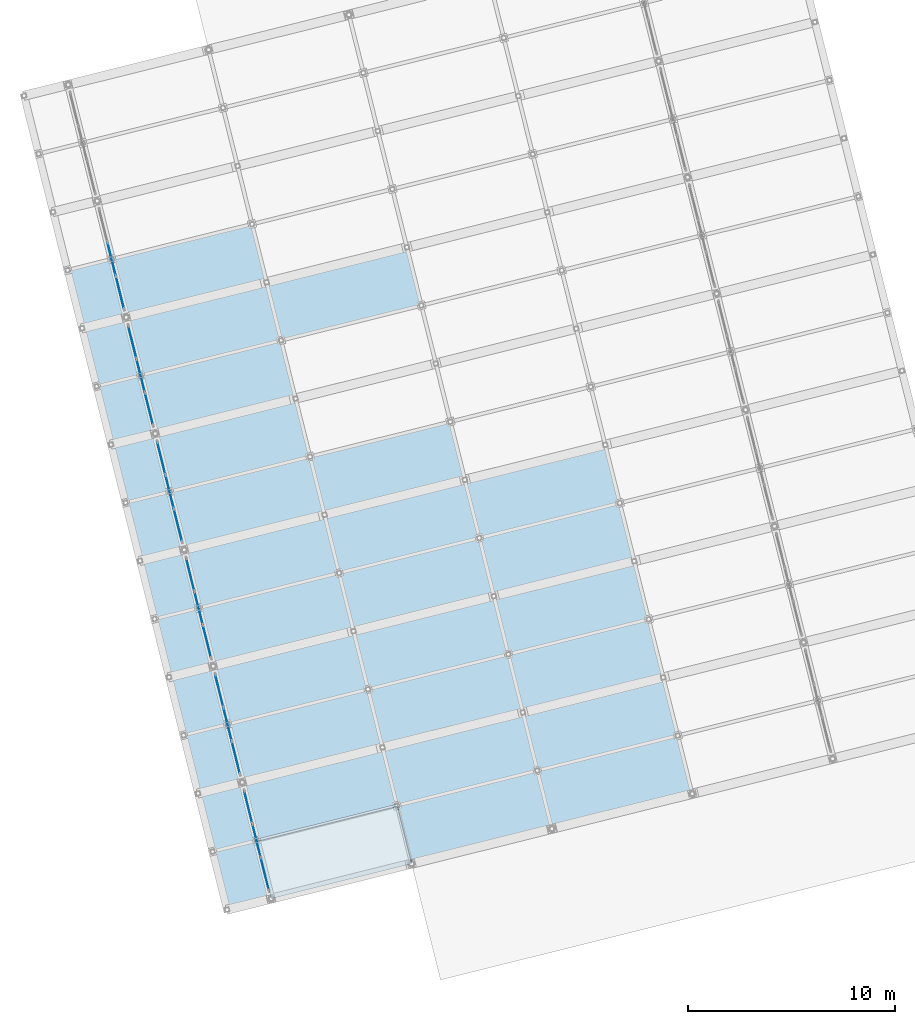
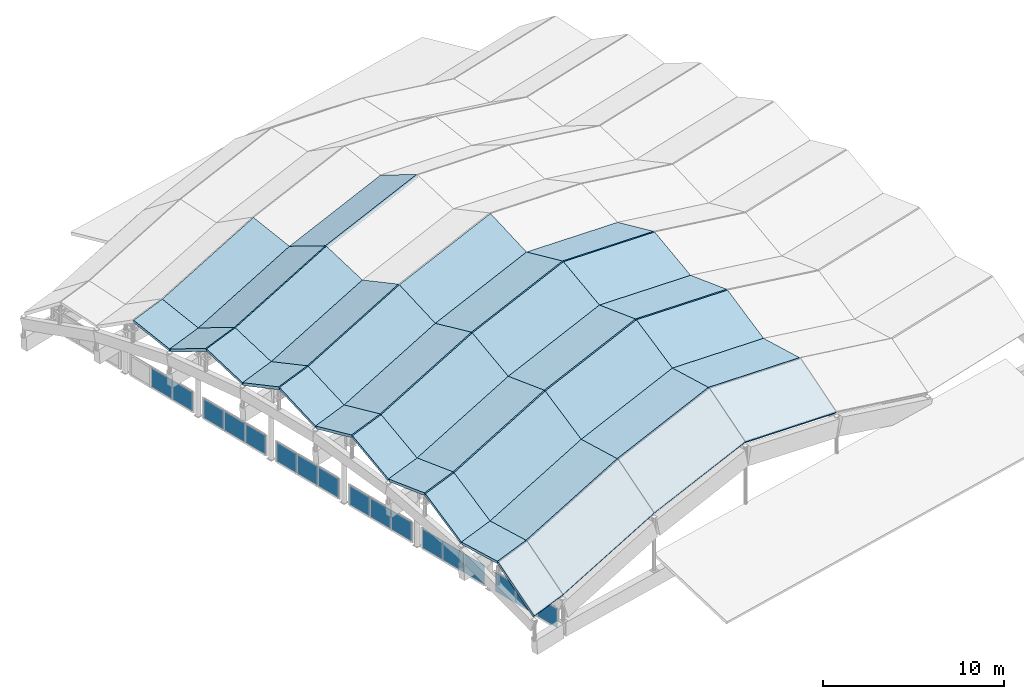
# One storey, part 53 of 65: 36 slabs, 17 plates, 6 elements without a shape of their own.
"""IFC4 building model written with IfcOpenShell, lengths in metres."""

import ifcopenshell
import ifcopenshell.guid

model = None  # the IFC model being written
_history = None  # IfcOwnerHistory: only IFC2X3 demands one
_inside = {}  # id of a spatial element -> (the spatial element, [elements in it])
_under = {}  # id of a project, library or spatial element -> (it, [spatial elements below it])
_declared = {}  # id of a project -> (the project, [libraries it declares])
_typed = {}  # id of a type object -> (the type object, [elements of that type])
_made_of = {}  # id of a material, layer set ... -> (it, [elements and type objects made of it])


def new_model(schema):
    """Start an empty IFC model of exactly this schema.

    Asked for "IFC4X3", IfcOpenShell would pick the latest addendum, in which some entities
    have other attributes; the version numbers below select the first issue.
    IFC2X3 requires an IfcOwnerHistory on every rooted entity: one is made here for all.
    """
    global model, _history
    if schema == "IFC4X3":
        model = ifcopenshell.file(schema_version=(4, 3, 0, 0))
    else:
        model = ifcopenshell.file(schema=schema)
    _inside.clear()
    _under.clear()
    _declared.clear()
    _typed.clear()
    _made_of.clear()
    _history = None
    if model.schema == "IFC2X3":
        org = make("IfcOrganization", Name="unknown")
        user = make(
            "IfcPersonAndOrganization",
            ThePerson=make("IfcPerson", FamilyName="unknown"),
            TheOrganization=org,
        )
        app = make(
            "IfcApplication",
            ApplicationDeveloper=org,
            Version="unknown",
            ApplicationFullName="unknown",
            ApplicationIdentifier="unknown",
        )
        _history = make(
            "IfcOwnerHistory",
            OwningUser=user,
            OwningApplication=app,
            ChangeAction="ADDED",
            CreationDate=0,
        )
    return model


def make(cls, **values):
    """One entity of the class cls with the attributes given. An attribute that is None is left unset."""
    return model.create_entity(
        cls, **{name: value for name, value in values.items() if value is not None}
    )


def rooted(cls, **values):
    """An entity with a GlobalId (a new one), such as an element, a storey or a relation."""
    return make(cls, GlobalId=ifcopenshell.guid.new(), OwnerHistory=_history, **values)


def si_unit(unit_type, name, prefix=None):
    """IfcSIUnit, for example si_unit("LENGTHUNIT", "METRE", prefix="MILLI")."""
    return make("IfcSIUnit", UnitType=unit_type, Prefix=prefix, Name=name)


def assignment(units):
    """IfcUnitAssignment: the units of a project."""
    return None if units is None else make("IfcUnitAssignment", Units=units)


def point(xyz):
    """IfcCartesianPoint."""
    return None if xyz is None else make("IfcCartesianPoint", Coordinates=xyz)


def direction(xyz):
    """IfcDirection."""
    return None if xyz is None else make("IfcDirection", DirectionRatios=xyz)


def frame(location, z_axis=None, x_axis=None):
    """IfcAxis2Placement3D, a coordinate frame: its origin and axes. An axis left out is left unset."""
    return make(
        "IfcAxis2Placement3D",
        Location=point(location),
        Axis=direction(z_axis),
        RefDirection=direction(x_axis),
    )


def frame_2d(location, x_axis=None):
    """IfcAxis2Placement2D, a coordinate frame in the plane: its origin and x axis."""
    return make(
        "IfcAxis2Placement2D", Location=point(location), RefDirection=direction(x_axis)
    )


def origin():
    """The frame at (0, 0, 0) with its axes left unset."""
    return frame((0.0, 0.0, 0.0))


def origin_2d():
    """The frame at (0, 0) in the plane with its x axis left unset."""
    return frame_2d((0.0, 0.0))


def place(relative_to, where):
    """IfcLocalPlacement: puts the frame where relative to a parent placement (None: the world)."""
    return make(
        "IfcLocalPlacement", PlacementRelTo=relative_to, RelativePlacement=where
    )


def context(
    kind, dimensions, precision=None, world=None, true_north=None, identifier=None
):
    """IfcGeometricRepresentationContext, for example the 3D "Model" context."""
    return make(
        "IfcGeometricRepresentationContext",
        ContextIdentifier=identifier,
        ContextType=kind,
        CoordinateSpaceDimension=dimensions,
        Precision=precision,
        WorldCoordinateSystem=world,
        TrueNorth=true_north,
    )


def subcontext(parent, identifier, kind, view, scale=None):
    """IfcGeometricRepresentationSubContext, for example "Body" below "Model"."""
    return make(
        "IfcGeometricRepresentationSubContext",
        ContextIdentifier=identifier,
        ContextType=kind,
        ParentContext=parent,
        TargetScale=scale,
        TargetView=view,
    )


def project(units=None, contexts=None):
    """IfcProject with its units and contexts."""
    return rooted(
        "IfcProject",
        Name="project",
        RepresentationContexts=contexts,
        UnitsInContext=assignment(units),
    )


def spatial(cls, under=None, at=None, **own):
    """A site, building, storey or space (cls), placed at a placement, below another one or the project."""
    s = rooted(cls, ObjectPlacement=at, **own)
    if under is not None:
        _under.setdefault(under.id(), (under, []))[1].append(s)
    return s


def polyline(points):
    """IfcPolyline through the points."""
    return make("IfcPolyline", Points=[point(p) for p in points])


def profile(cls, at=None, kind="AREA", **sizes):
    """A parametric profile (cls). Its sizes go by their IFC names, for example OverallWidth=200.0."""
    return make(cls, ProfileType=kind, Position=at, **sizes)


def rectangle(**sizes):
    """IfcRectangleProfileDef."""
    return profile("IfcRectangleProfileDef", **sizes)


def outline(outer, holes=None, kind="AREA"):
    """IfcArbitraryClosedProfileDef: a profile drawn as a closed curve; with holes, ...WithVoids."""
    if holes is None:
        return make("IfcArbitraryClosedProfileDef", ProfileType=kind, OuterCurve=outer)
    return make(
        "IfcArbitraryProfileDefWithVoids",
        ProfileType=kind,
        OuterCurve=outer,
        InnerCurves=holes,
    )


def extrude(swept, where, along, depth):
    """IfcExtrudedAreaSolid: the profile swept, set in the frame where, extruded along a direction by depth."""
    return make(
        "IfcExtrudedAreaSolid",
        SweptArea=swept,
        Position=where,
        ExtrudedDirection=direction(along),
        Depth=depth,
    )


def shape(context_of_items, identifier, shape_type, items):
    """IfcShapeRepresentation: the items that make up one representation, for example the "Body"."""
    return make(
        "IfcShapeRepresentation",
        ContextOfItems=context_of_items,
        RepresentationIdentifier=identifier,
        RepresentationType=shape_type,
        Items=items,
    )


def material(Name=None, Category=None):
    """IfcMaterial."""
    return make("IfcMaterial", Name=Name, Category=Category)


def layer(
    of_material, thickness, ventilated=None, Name=None, Category=None, Priority=None
):
    """IfcMaterialLayer: one layer of a wall or slab, of a material (None: an air gap)."""
    return make(
        "IfcMaterialLayer",
        Material=of_material,
        LayerThickness=thickness,
        IsVentilated=ventilated,
        Name=Name,
        Category=Category,
        Priority=Priority,
    )


def layer_set(layers, Name=None):
    """IfcMaterialLayerSet."""
    return make("IfcMaterialLayerSet", MaterialLayers=layers, LayerSetName=Name)


def made_of(thing, what):
    """Note that an element or type object is made of a material, layer set ...; save() writes the relation."""
    if what is not None:
        _made_of.setdefault(what.id(), (what, []))[1].append(thing)
    return thing


def type_object(cls, material=None, **own):
    """A type object (cls), such as IfcWallType, which elements share."""
    return made_of(rooted(cls, **own), material)


def element(
    cls,
    number,
    at=None,
    inside=None,
    cuts=None,
    type_object=None,
    material=None,
    context=None,
    identifier="Body",
    shape_type=None,
    held_by="IfcProductDefinitionShape",
    body=None,
    shapes=None,
    **own,
):
    """One element of the class cls, such as IfcWall. Its Tag is "e" and its number.

    at: its placement. inside: the storey or other place that contains it. cuts: it is an
    opening in that element (IfcRelVoidsElement). A single representation is given by context,
    identifier, shape_type and body (its items); several are given by shapes. held_by: the class
    of the entity that holds the representations. save() writes the other relations.
    """
    e = rooted(cls, Tag="e%d" % number, ObjectPlacement=at, **own)
    if body is not None:
        shapes = [shape(context, identifier, shape_type, body)]
    if shapes is not None:
        e.Representation = make(held_by, Representations=shapes)
    if inside is not None:
        _inside.setdefault(inside.id(), (inside, []))[1].append(e)
    if cuts is not None:
        rooted(
            "IfcRelVoidsElement", RelatingBuildingElement=cuts, RelatedOpeningElement=e
        )
    if type_object is not None:
        _typed.setdefault(type_object.id(), (type_object, []))[1].append(e)
    return made_of(e, material)


def aggregate(whole, parts):
    """IfcRelAggregates: a whole, such as a stair, and the parts it consists of."""
    return rooted("IfcRelAggregates", RelatingObject=whole, RelatedObjects=parts)


def save(model, path):
    """Write the relations noted so far, then the file.

    IfcRelAggregates (storeys below a building ...), IfcRelContainedInSpatialStructure (elements
    in a storey), IfcRelDefinesByType, IfcRelAssociatesMaterial and IfcRelDeclares: one each for
    every whole, place, type object, material and project.
    """
    for whole, parts in _under.values():
        aggregate(whole, parts)
    for where, things in _inside.values():
        rooted(
            "IfcRelContainedInSpatialStructure",
            RelatedElements=things,
            RelatingStructure=where,
        )
    for kind, things in _typed.values():
        rooted("IfcRelDefinesByType", RelatedObjects=things, RelatingType=kind)
    for what, things in _made_of.values():
        rooted("IfcRelAssociatesMaterial", RelatedObjects=things, RelatingMaterial=what)
    for by, libraries in _declared.values():
        rooted("IfcRelDeclares", RelatingContext=by, RelatedDefinitions=libraries)
    model.write(path)


model = new_model("IFC4")

# Units and contexts
model_context = context("Model", 3, precision=1e-05, world=origin(), true_north=direction((0.0, 1.0)))
body_context = subcontext(model_context, "Body", "Model", "MODEL_VIEW")
ifc_project = project(units=[si_unit("LENGTHUNIT", "METRE"), si_unit("AREAUNIT", "SQUARE_METRE"), si_unit("VOLUMEUNIT", "CUBIC_METRE"), si_unit("PLANEANGLEUNIT", "RADIAN"), si_unit("MASSUNIT", "GRAM", prefix="KILO")], contexts=[model_context])

# Site, building, storey
site_placement = place(None, origin())
site = spatial("IfcSite", under=ifc_project, at=site_placement, CompositionType="ELEMENT")
building_placement = place(site_placement, origin())
building = spatial("IfcBuilding", under=site, at=building_placement, Name="Cinderway Yard Community Centre", CompositionType="ELEMENT")
storey_placement = place(building_placement, frame((0.0, 0.0, 24.300048828125)))
storey = spatial("IfcBuildingStorey", under=building, at=storey_placement, Name="RF", CompositionType="ELEMENT", Elevation=24.300048828125)

# Curtain wall, plates
ifc_material_1 = material(Name="Aluminium 6063-T6", Category="aluminium")
curtain_wall_type = type_object("IfcCurtainWallType", Name="ENV-CW-TYPE-11", PredefinedType="USERDEFINED", material=ifc_material_1)
curtain_wall_1_placement = place(storey_placement, origin())
curtain_wall_1 = element("IfcCurtainWall", 1, at=curtain_wall_1_placement, inside=storey, type_object=curtain_wall_type, Name="Main Hall West Clerestory Curtain Wall ENV-CW-RF-HS-0037", ObjectType="GLAZED CURTAIN WALL", PredefinedType="USERDEFINED")
ifc_material_2 = material(Name="Laminated Low-E Glass", Category="glass")
ifc_layer_1 = layer(ifc_material_2, 0.031982421875, Name="Laminated Low-E Glass")
ifc_layer_set_1 = layer_set([ifc_layer_1], Name="Laminated Low-E Glass")
plate_type = type_object("IfcPlateType", Name="ENV-CW-PAN-IGU32", PredefinedType="CURTAIN_PANEL", material=ifc_layer_set_1)
plate_1_placement = place(storey_placement, frame((19.51025390625, 26.315673828125, -11.33984375), z_axis=(0.0, 0.0, 1.0), x_axis=(-0.241881929678, 0.970305690025, 0.0)))
plate_1 = element("IfcPlate", 2, at=plate_1_placement, type_object=plate_type, Name="CW-11 panel 1.1", PredefinedType="CURTAIN_PANEL", context=body_context, shape_type="SweptSolid", body=[
    extrude(rectangle(XDim=1.58984375, YDim=0.028076171875, at=origin_2d()), origin(), (0.0, 0.0, 1.0), 1.280029296875),
])
plate_2_placement = place(storey_placement, frame((19.107421875, 27.930908203125, -11.33984375), z_axis=(0.0, 0.0, 1.0), x_axis=(-0.241881929678, 0.970305690025, 0.0)))
plate_2 = element("IfcPlate", 3, at=plate_2_placement, type_object=plate_type, Name="CW-11 panel 2.1", PredefinedType="CURTAIN_PANEL", context=body_context, shape_type="SweptSolid", body=[
    extrude(rectangle(XDim=1.619873046875, YDim=0.028076171875, at=origin_2d()), origin(), (0.0, 0.0, 1.0), 1.280029296875),
])
plate_3_placement = place(storey_placement, frame((18.704833984375, 29.54638671875, -11.33984375), z_axis=(0.0, 0.0, 1.0), x_axis=(-0.241881929678, 0.970305690025, 0.0)))
plate_3 = element("IfcPlate", 4, at=plate_3_placement, type_object=plate_type, Name="CW-11 panel 3.1", PredefinedType="CURTAIN_PANEL", context=body_context, shape_type="SweptSolid", body=[
    extrude(rectangle(XDim=1.58984375, YDim=0.028076171875, at=origin_2d()), origin(), (0.0, 0.0, 1.0), 1.280029296875),
])
aggregate(curtain_wall_1, [plate_1, plate_2, plate_3])

curtain_wall_2_placement = place(storey_placement, origin())
curtain_wall_2 = element("IfcCurtainWall", 5, at=curtain_wall_2_placement, inside=storey, type_object=curtain_wall_type, Name="Main Hall West Clerestory Curtain Wall ENV-CW-RF-HS-0038", ObjectType="GLAZED CURTAIN WALL", PredefinedType="USERDEFINED")
plate_4_placement = place(storey_placement, frame((18.107177734375, 31.943359375, -11.33984375), z_axis=(0.0, 0.0, 1.0), x_axis=(-0.24192850896, 0.970294077356, 0.0)))
plate_4 = element("IfcPlate", 6, at=plate_4_placement, type_object=plate_type, Name="CW-11 panel 1.1", PredefinedType="CURTAIN_PANEL", context=body_context, shape_type="SweptSolid", body=[
    extrude(rectangle(XDim=1.589599609375, YDim=0.028076171875, at=origin_2d()), origin(), (0.0, 0.0, 1.0), 1.280029296875),
])
plate_5_placement = place(storey_placement, frame((17.70458984375, 33.55859375, -11.33984375), z_axis=(0.0, 0.0, 1.0), x_axis=(-0.24192850896, 0.970294077356, 0.0)))
plate_5 = element("IfcPlate", 7, at=plate_5_placement, type_object=plate_type, Name="CW-11 panel 2.1", PredefinedType="CURTAIN_PANEL", context=body_context, shape_type="SweptSolid", body=[
    extrude(rectangle(XDim=1.61962890625, YDim=0.028076171875, at=origin_2d()), origin(), (0.0, 0.0, 1.0), 1.280029296875),
])
plate_6_placement = place(storey_placement, frame((17.3017578125, 35.173583984375, -11.33984375), z_axis=(0.0, 0.0, 1.0), x_axis=(-0.24192850896, 0.970294077356, 0.0)))
plate_6 = element("IfcPlate", 8, at=plate_6_placement, type_object=plate_type, Name="CW-11 panel 3.1", PredefinedType="CURTAIN_PANEL", context=body_context, shape_type="SweptSolid", body=[
    extrude(rectangle(XDim=1.589599609375, YDim=0.028076171875, at=origin_2d()), origin(), (0.0, 0.0, 1.0), 1.280029296875),
])
aggregate(curtain_wall_2, [plate_4, plate_5, plate_6])

curtain_wall_3_placement = place(storey_placement, origin())
curtain_wall_3 = element("IfcCurtainWall", 9, at=curtain_wall_3_placement, inside=storey, type_object=curtain_wall_type, Name="Main Hall West Clerestory Curtain Wall ENV-CW-RF-HS-0039", ObjectType="GLAZED CURTAIN WALL", PredefinedType="USERDEFINED")
plate_7_placement = place(storey_placement, frame((16.7041015625, 37.570556640625, -11.33984375), z_axis=(0.0, 0.0, 1.0), x_axis=(-0.241881929678, 0.970305690025, 0.0)))
plate_7 = element("IfcPlate", 10, at=plate_7_placement, type_object=plate_type, Name="CW-11 panel 1.1", PredefinedType="CURTAIN_PANEL", context=body_context, shape_type="SweptSolid", body=[
    extrude(rectangle(XDim=1.58984375, YDim=0.028076171875, at=origin_2d()), origin(), (0.0, 0.0, 1.0), 1.280029296875),
])
plate_8_placement = place(storey_placement, frame((16.301513671875, 39.18603515625, -11.33984375), z_axis=(0.0, 0.0, 1.0), x_axis=(-0.241881929678, 0.970305690025, 0.0)))
plate_8 = element("IfcPlate", 11, at=plate_8_placement, type_object=plate_type, Name="CW-11 panel 2.1", PredefinedType="CURTAIN_PANEL", context=body_context, shape_type="SweptSolid", body=[
    extrude(rectangle(XDim=1.619873046875, YDim=0.028076171875, at=origin_2d()), origin(), (0.0, 0.0, 1.0), 1.280029296875),
])
plate_9_placement = place(storey_placement, frame((15.898681640625, 40.801513671875, -11.33984375), z_axis=(0.0, 0.0, 1.0), x_axis=(-0.241881929678, 0.970305690025, 0.0)))
plate_9 = element("IfcPlate", 12, at=plate_9_placement, type_object=plate_type, Name="CW-11 panel 3.1", PredefinedType="CURTAIN_PANEL", context=body_context, shape_type="SweptSolid", body=[
    extrude(rectangle(XDim=1.58984375, YDim=0.028076171875, at=origin_2d()), origin(), (0.0, 0.0, 1.0), 1.280029296875),
])
aggregate(curtain_wall_3, [plate_7, plate_8, plate_9])

curtain_wall_4_placement = place(storey_placement, origin())
curtain_wall_4 = element("IfcCurtainWall", 13, at=curtain_wall_4_placement, inside=storey, type_object=curtain_wall_type, Name="Main Hall West Clerestory Curtain Wall ENV-CW-RF-HS-0040", ObjectType="GLAZED CURTAIN WALL", PredefinedType="USERDEFINED")
plate_10_placement = place(storey_placement, frame((15.30126953125, 43.198486328125, -11.33984375), z_axis=(0.0, 0.0, 1.0), x_axis=(-0.241881929678, 0.970305690025, 0.0)))
plate_10 = element("IfcPlate", 14, at=plate_10_placement, type_object=plate_type, Name="CW-11 panel 1.1", PredefinedType="CURTAIN_PANEL", context=body_context, shape_type="SweptSolid", body=[
    extrude(rectangle(XDim=1.58984375, YDim=0.028076171875, at=origin_2d()), origin(), (0.0, 0.0, 1.0), 1.280029296875),
])
plate_11_placement = place(storey_placement, frame((14.8984375, 44.81396484375, -11.33984375), z_axis=(0.0, 0.0, 1.0), x_axis=(-0.241881929678, 0.970305690025, 0.0)))
plate_11 = element("IfcPlate", 15, at=plate_11_placement, type_object=plate_type, Name="CW-11 panel 2.1", PredefinedType="CURTAIN_PANEL", context=body_context, shape_type="SweptSolid", body=[
    extrude(rectangle(XDim=1.619873046875, YDim=0.028076171875, at=origin_2d()), origin(), (0.0, 0.0, 1.0), 1.280029296875),
])
plate_12_placement = place(storey_placement, frame((14.495849609375, 46.429443359375, -11.33984375), z_axis=(0.0, 0.0, 1.0), x_axis=(-0.241881929678, 0.970305690025, 0.0)))
plate_12 = element("IfcPlate", 16, at=plate_12_placement, type_object=plate_type, Name="CW-11 panel 3.1", PredefinedType="CURTAIN_PANEL", context=body_context, shape_type="SweptSolid", body=[
    extrude(rectangle(XDim=1.58984375, YDim=0.028076171875, at=origin_2d()), origin(), (0.0, 0.0, 1.0), 1.280029296875),
])
aggregate(curtain_wall_4, [plate_10, plate_11, plate_12])

curtain_wall_5_placement = place(storey_placement, origin())
curtain_wall_5 = element("IfcCurtainWall", 17, at=curtain_wall_5_placement, inside=storey, type_object=curtain_wall_type, Name="Main Hall West Clerestory Curtain Wall ENV-CW-RF-HS-0041", ObjectType="GLAZED CURTAIN WALL", PredefinedType="USERDEFINED")
plate_13_placement = place(storey_placement, frame((13.898193359375, 48.826416015625, -11.33984375), z_axis=(0.0, 0.0, 1.0), x_axis=(-0.24192850896, 0.970294077356, 0.0)))
plate_13 = element("IfcPlate", 18, at=plate_13_placement, type_object=plate_type, Name="CW-11 panel 1.1", PredefinedType="CURTAIN_PANEL", context=body_context, shape_type="SweptSolid", body=[
    extrude(rectangle(XDim=1.589599609375, YDim=0.028076171875, at=origin_2d()), origin(), (0.0, 0.0, 1.0), 1.280029296875),
])
plate_14_placement = place(storey_placement, frame((13.49560546875, 50.44140625, -11.33984375), z_axis=(0.0, 0.0, 1.0), x_axis=(-0.24192850896, 0.970294077356, 0.0)))
plate_14 = element("IfcPlate", 19, at=plate_14_placement, type_object=plate_type, Name="CW-11 panel 2.1", PredefinedType="CURTAIN_PANEL", context=body_context, shape_type="SweptSolid", body=[
    extrude(rectangle(XDim=1.61962890625, YDim=0.028076171875, at=origin_2d()), origin(), (0.0, 0.0, 1.0), 1.280029296875),
])
plate_15_placement = place(storey_placement, frame((13.0927734375, 52.056640625, -11.33984375), z_axis=(0.0, 0.0, 1.0), x_axis=(-0.24192850896, 0.970294077356, 0.0)))
plate_15 = element("IfcPlate", 20, at=plate_15_placement, type_object=plate_type, Name="CW-11 panel 3.1", PredefinedType="CURTAIN_PANEL", context=body_context, shape_type="SweptSolid", body=[
    extrude(rectangle(XDim=1.589599609375, YDim=0.028076171875, at=origin_2d()), origin(), (0.0, 0.0, 1.0), 1.280029296875),
])
aggregate(curtain_wall_5, [plate_13, plate_14, plate_15])

curtain_wall_6_placement = place(storey_placement, origin())
curtain_wall_6 = element("IfcCurtainWall", 21, at=curtain_wall_6_placement, inside=storey, type_object=curtain_wall_type, Name="Main Hall West Clerestory Curtain Wall ENV-CW-RF-HS-0042", ObjectType="GLAZED CURTAIN WALL", PredefinedType="USERDEFINED")
plate_16_placement = place(storey_placement, frame((12.4951171875, 54.45361328125, -11.33984375), z_axis=(0.0, 0.0, 1.0), x_axis=(-0.241881929678, 0.970305690025, 0.0)))
plate_16 = element("IfcPlate", 22, at=plate_16_placement, type_object=plate_type, Name="CW-11 panel 1.1", PredefinedType="CURTAIN_PANEL", context=body_context, shape_type="SweptSolid", body=[
    extrude(rectangle(XDim=1.58984375, YDim=0.028076171875, at=origin_2d()), origin(), (0.0, 0.0, 1.0), 1.280029296875),
])
plate_17_placement = place(storey_placement, frame((12.092529296875, 56.069091796875, -11.33984375), z_axis=(0.0, 0.0, 1.0), x_axis=(-0.241881929678, 0.970305690025, 0.0)))
plate_17 = element("IfcPlate", 23, at=plate_17_placement, type_object=plate_type, Name="CW-11 panel 2.1", PredefinedType="CURTAIN_PANEL", context=body_context, shape_type="SweptSolid", body=[
    extrude(rectangle(XDim=1.619873046875, YDim=0.028076171875, at=origin_2d()), origin(), (0.0, 0.0, 1.0), 1.280029296875),
])
aggregate(curtain_wall_6, [plate_16, plate_17])

# Slabs
ifc_material_3 = material(Name="Concrete C40/50", Category="concrete")
ifc_layer_2 = layer(ifc_material_3, 0.199951171875, Name="Concrete C40/50")
ifc_layer_set_2 = layer_set([ifc_layer_2], Name="Concrete C40/50")
slab_type = type_object("IfcSlabType", Name="STR-SLAB-ROOF-FP200", PredefinedType="ROOF", material=ifc_layer_set_2)
slab_1_placement = place(storey_placement, frame((17.675048828125, 24.5849609375, -9.25), z_axis=(0.023369569623, -0.613087065836, 0.78966962264), x_axis=(0.958257567704, 0.238876046229, 0.157100822646)))
element("IfcSlab", 24, at=slab_1_placement, inside=storey, type_object=slab_type, Name="Folded-plate roof facet B1.P1.U1", PredefinedType="ROOF", context=body_context, shape_type="SweptSolid", body=[
    extrude(outline(polyline([(0.0, 0.0), (2.2269935993372094, -5.551115123125783e-17), (2.5693002576051978, 3.576703318347463), (0.34137085986202687, 3.5769815894799626), (0.0, 0.0)])), origin(), (0.0, 0.0, -1.0), 0.199951171875),
])
slab_2_placement = place(storey_placement, frame((19.80908203125, 25.116943359375, -8.900146484375), z_axis=(-0.082966798182, -0.627487516362, 0.774193727183), x_axis=(0.929396564842, 0.231637962019, 0.287342791472)))
element("IfcSlab", 25, at=slab_2_placement, inside=storey, type_object=slab_type, Name="Folded-plate roof facet B1.P1.U2", PredefinedType="ROOF", context=body_context, shape_type="SweptSolid", body=[
    extrude(outline(polyline([(0.0, 0.0), (7.3089995065960665, 2.220446049250313e-16), (7.933485528131923, 3.538360292335127), (0.6254501876055312, 3.538190572172774), (0.0, 0.0)])), origin(), (0.0, 0.0, -1.0), 0.199951171875),
])
slab_3_placement = place(storey_placement, frame((26.60205078125, 26.81005859375, -6.800048828125), z_axis=(-0.007864364078, -0.618082124621, 0.786074194336), x_axis=(0.951442369684, 0.237285705313, 0.196094138679)))
element("IfcSlab", 26, at=slab_3_placement, inside=storey, type_object=slab_type, Name="Folded-plate roof facet B1.P1.U3", PredefinedType="ROOF", context=body_context, shape_type="SweptSolid", body=[
    extrude(outline(polyline([(0.0, 0.0), (7.138627621888451, -1.1102230246251565e-16), (7.565114481195661, 3.567834120123495), (0.4264289282268106, 3.5676511497988104), (0.0, 0.0)])), origin(), (0.0, 0.0, -1.0), 0.199951171875),
])
slab_4_placement = place(storey_placement, frame((33.39404296875, 28.50390625, -5.400146484375), z_axis=(0.297126292648, -0.542020664064, 0.786084961022), x_axis=(0.951468199054, 0.237177321988, -0.196099934022)))
element("IfcSlab", 27, at=slab_4_placement, inside=storey, type_object=slab_type, Name="Folded-plate roof facet B1.P1.U4", PredefinedType="ROOF", context=body_context, shape_type="SweptSolid", body=[
    extrude(outline(polyline([(0.0, 0.0), (7.138453868982606, -1.1102230246251565e-16), (6.711522908335369, 3.56759110796699), (-0.42687305602761094, 3.5677879344534524), (0.0, 0.0)])), origin(), (0.0, 0.0, -1.0), 0.199951171875),
])
slab_5_placement = place(storey_placement, frame((16.964111328125, 27.43701171875, -7.046142578125), z_axis=(-0.164038245367, 0.008819700997, 0.986414551257), x_axis=(0.958132898981, 0.239313548738, 0.157195334796)))
element("IfcSlab", 28, at=slab_5_placement, inside=storey, type_object=slab_type, Name="Folded-plate roof facet B1.P2.U1", PredefinedType="ROOF", context=body_context, shape_type="SweptSolid", body=[
    extrude(outline(polyline([(0.0, 0.0), (2.2270315244341274, -9.020562075079397e-17), (2.2062443042076207, 2.8634409155146328), (-0.021079565550656383, 2.863261172758394), (0.0, 0.0)])), origin(), (0.0, 0.0, -1.0), 0.199951171875),
])
slab_6_placement = place(storey_placement, frame((19.097900390625, 27.969970703125, -6.696044921875), z_axis=(-0.289839340038, -0.023991067736, 0.956774574095), x_axis=(0.929384206257, 0.231677158579, 0.287351163828)))
element("IfcSlab", 29, at=slab_6_placement, inside=storey, type_object=slab_type, Name="Folded-plate roof facet B1.P2.U2", PredefinedType="ROOF", context=body_context, shape_type="SweptSolid", body=[
    extrude(outline(polyline([(0.0, 0.0), (7.30809190040432, -8.326672684688674e-17), (7.267669091772455, 2.8630063470488407), (-0.040296092732838705, 2.8632328227848025), (0.0, 0.0)])), origin(), (0.0, 0.0, -1.0), 0.199951171875),
])
slab_7_placement = place(storey_placement, frame((25.889892578125, 29.6630859375, -4.595947265625), z_axis=(-0.201677332164, -0.000865530014, 0.979451634614), x_axis=(0.95146978787, 0.237150054204, 0.196125201239)))
element("IfcSlab", 30, at=slab_7_placement, inside=storey, type_object=slab_type, Name="Folded-plate roof facet B1.P2.U3", PredefinedType="ROOF", context=body_context, shape_type="SweptSolid", body=[
    extrude(outline(polyline([(0.0, 0.0), (7.138395966383644, 0.0), (7.1107689026633185, 2.8633830893904895), (-0.02773284381198811, 2.86315738910197), (0.0, 0.0)])), origin(), (0.0, 0.0, -1.0), 0.199951171875),
])
slab_8_placement = place(storey_placement, frame((32.681884765625, 31.35595703125, -3.196044921875), z_axis=(0.178461144224, 0.093890803351, 0.979457062381), x_axis=(0.951436164591, 0.237302861466, -0.196103484539)))
element("IfcSlab", 31, at=slab_8_placement, inside=storey, type_object=slab_type, Name="Folded-plate roof facet B1.P2.U4", PredefinedType="ROOF", context=body_context, shape_type="SweptSolid", body=[
    extrude(outline(polyline([(0.0, 0.0), (7.13891783963539, -1.3877787807814457e-17), (7.167294778499571, 2.8629741744827486), (0.0276901446462013, 2.8633824818043485), (0.0, 0.0)])), origin(), (0.0, 0.0, -1.0), 0.199951171875),
])
slab_9_placement = place(storey_placement, frame((16.27197265625, 30.2119140625, -7.18603515625), z_axis=(-0.000673290319, -0.547060257406, 0.837092958665), x_axis=(0.958115333415, 0.239375421841, 0.157208190925)))
element("IfcSlab", 32, at=slab_9_placement, inside=storey, type_object=slab_type, Name="Folded-plate roof facet B2.P1.U1", PredefinedType="ROOF", context=body_context, shape_type="SweptSolid", body=[
    extrude(outline(polyline([(0.0, 0.0), (2.2273238760902987, -1.3877787807814457e-16), (2.5136691435610654, 3.373978949402364), (0.2864037087358646, 3.3741747837397527), (0.0, 0.0)])), origin(), (0.0, 0.0, -1.0), 0.199951171875),
])
slab_10_placement = place(storey_placement, frame((18.406005859375, 30.7451171875, -6.8359375), z_axis=(-0.112785006017, -0.563025871885, 0.818707157661), x_axis=(0.929395804706, 0.231647394314, 0.287337646164)))
element("IfcSlab", 33, at=slab_10_placement, inside=storey, type_object=slab_type, Name="Folded-plate roof facet B2.P1.U2", PredefinedType="ROOF", context=body_context, shape_type="SweptSolid", body=[
    extrude(outline(polyline([(0.0, 0.0), (7.30796518890163, 0.0), (7.828659996922626, 3.345833899728543), (0.5206948080209973, 3.3458338997285426), (0.0, 0.0)])), origin(), (0.0, 0.0, -1.0), 0.199951171875),
])
slab_11_placement = place(storey_placement, frame((25.197998046875, 32.43798828125, -4.736083984375), z_axis=(-0.033918869074, -0.55248636779, 0.832831509806), x_axis=(0.951460424309, 0.237202915764, 0.196106699852)))
element("IfcSlab", 34, at=slab_11_placement, inside=storey, type_object=slab_type, Name="Folded-plate roof facet B2.P1.U3", PredefinedType="ROOF", context=body_context, shape_type="SweptSolid", body=[
    extrude(outline(polyline([(0.0, 0.0), (7.138501745300351, -1.1102230246251565e-16), (7.495106360668717, 3.3678822598137055), (0.35544381132532554, 3.3674006566902603), (0.0, 0.0)])), origin(), (0.0, 0.0, -1.0), 0.199951171875),
])
slab_12_placement = place(storey_placement, frame((31.989990234375, 34.131103515625, -3.3359375), z_axis=(0.289328113961, -0.471925402195, 0.832811897871), x_axis=(0.95145014543, 0.237244616571, -0.19610612604)))
element("IfcSlab", 35, at=slab_12_placement, inside=storey, type_object=slab_type, Name="Folded-plate roof facet B2.P1.U4", PredefinedType="ROOF", context=body_context, shape_type="SweptSolid", body=[
    extrude(outline(polyline([(0.0, 0.0), (7.139604645761024, 1.1102230246251565e-16), (6.784151948602968, 3.367600917441083), (-0.3543497834785071, 3.3681202590775223), (0.0, 0.0)])), origin(), (0.0, 0.0, -1.0), 0.199951171875),
])
slab_13_placement = place(storey_placement, frame((15.56005859375, 33.06494140625, -5.35498046875), z_axis=(-0.191416158032, 0.128267061118, 0.973091678865), x_axis=(0.958293270472, 0.238778849212, 0.157030789775)))
element("IfcSlab", 36, at=slab_13_placement, inside=storey, type_object=slab_type, Name="Folded-plate roof facet B2.P2.U1", PredefinedType="ROOF", context=body_context, shape_type="SweptSolid", body=[
    extrude(outline(polyline([(0.0, 0.0), (2.227929415150597, -6.245004513516506e-17), (2.148481771944011, 2.902781246069017), (-0.07944764320658647, 2.902781246069017), (0.0, 0.0)])), origin(), (0.0, 0.0, -1.0), 0.199951171875),
])
slab_14_placement = place(storey_placement, frame((17.695068359375, 33.596923828125, -5.005126953125), z_axis=(-0.315076036636, 0.092270806568, 0.944570372917), x_axis=(0.929351396766, 0.231803091892, 0.287355716698)))
element("IfcSlab", 37, at=slab_14_placement, inside=storey, type_object=slab_type, Name="Folded-plate roof facet B2.P2.U2", PredefinedType="ROOF", context=body_context, shape_type="SweptSolid", body=[
    extrude(outline(polyline([(0.0, 0.0), (7.3083182098866, 2.220446049250313e-16), (7.164070011419761, 2.900049715998607), (-0.1441916059151076, 2.9002861360903394), (0.0, 0.0)])), origin(), (0.0, 0.0, -1.0), 0.199951171875),
])
slab_15_placement = place(storey_placement, frame((24.487060546875, 35.291015625, -2.905029296875), z_axis=(-0.228544151094, 0.117798395941, 0.966380416252), x_axis=(0.951472702293, 0.23715030595, 0.19611075743)))
element("IfcSlab", 38, at=slab_15_placement, inside=storey, type_object=slab_type, Name="Folded-plate roof facet B2.P2.U3", PredefinedType="ROOF", context=body_context, shape_type="SweptSolid", body=[
    extrude(outline(polyline([(0.0, 0.0), (7.138395967368673, -1.6653345369377348e-16), (7.0395333451660616, 2.90218487906362), (-0.09892052022652485, 2.9019494531474415), (0.0, 0.0)])), origin(), (0.0, 0.0, -1.0), 0.199951171875),
])
slab_16_placement = place(storey_placement, frame((31.279052734375, 36.98388671875, -1.505126953125), z_axis=(0.146472603545, 0.211333339245, 0.96637673613), x_axis=(0.951434035847, 0.237310683008, -0.196104347637)))
element("IfcSlab", 39, at=slab_16_placement, inside=storey, type_object=slab_type, Name="Folded-plate roof facet B2.P2.U4", PredefinedType="ROOF", context=body_context, shape_type="SweptSolid", body=[
    extrude(outline(polyline([(0.0, 0.0), (7.138685555665793, 2.498001805406602e-16), (7.237110426317569, 2.9019663062005168), (0.0984828078302451, 2.9021977924389364), (0.0, 0.0)])), origin(), (0.0, 0.0, -1.0), 0.199951171875),
])
slab_17_placement = place(storey_placement, frame((14.867919921875, 35.840087890625, -5.85693359375), z_axis=(-0.025725174513, -0.475183029643, 0.879510832074), x_axis=(0.958293125448, 0.238776170122, 0.157035748481)))
element("IfcSlab", 40, at=slab_17_placement, inside=storey, type_object=slab_type, Name="Folded-plate roof facet B3.P1.U1", PredefinedType="ROOF", context=body_context, shape_type="SweptSolid", body=[
    extrude(outline(polyline([(0.0, 0.0), (2.2279294151151867, 5.551115123125783e-17), (2.459728681811977, 3.2113116812646365), (0.2327350998271104, 3.211033725258006), (0.0, 0.0)])), origin(), (0.0, 0.0, -1.0), 0.199951171875),
])
slab_18_placement = place(storey_placement, frame((17.0029296875, 36.3720703125, -5.507080078125), z_axis=(-0.142441322108, -0.492967272725, 0.858308649484), x_axis=(0.929359280147, 0.231775681994, 0.287352330147)))
element("IfcSlab", 41, at=slab_18_placement, inside=storey, type_object=slab_type, Name="Folded-plate roof facet B3.P1.U2", PredefinedType="ROOF", context=body_context, shape_type="SweptSolid", body=[
    extrude(outline(polyline([(0.0, 0.0), (7.308261620919859, -3.3306690738754696e-16), (7.7334497052259294, 3.1916803875322852), (0.4251314984462094, 3.1914756492621565), (0.0, 0.0)])), origin(), (0.0, 0.0, -1.0), 0.199951171875),
])
slab_19_placement = place(storey_placement, frame((23.794921875, 38.06591796875, -3.406982421875), z_axis=(-0.060322124724, -0.481153293881, 0.874558602414), x_axis=(0.951464948728, 0.237178386962, 0.196114415842)))
element("IfcSlab", 42, at=slab_19_placement, inside=storey, type_object=slab_type, Name="Folded-plate roof facet B3.P1.U3", PredefinedType="ROOF", context=body_context, shape_type="SweptSolid", body=[
    extrude(outline(polyline([(0.0, 0.0), (7.138453869047607, -1.1102230246251565e-16), (7.42834132331544, 3.2065899137298537), (0.2899453591474616, 3.2067959542313327), (0.0, 0.0)])), origin(), (0.0, 0.0, -1.0), 0.199951171875),
])
slab_20_placement = place(storey_placement, frame((30.5869140625, 39.759033203125, -2.007080078125), z_axis=(0.279149078036, -0.396513296753, 0.874558744585), x_axis=(0.9514403938, 0.237281861185, -0.196108376664)))
element("IfcSlab", 43, at=slab_20_placement, inside=storey, type_object=slab_type, Name="Folded-plate roof facet B3.P1.U4", PredefinedType="ROOF", context=body_context, shape_type="SweptSolid", body=[
    extrude(outline(polyline([(0.0, 0.0), (7.138627622123078, 0.0), (6.848778084582477, 3.20680461675794), (-0.2899074676824915, 3.206588104553621), (0.0, 0.0)])), origin(), (0.0, 0.0, -1.0), 0.199951171875),
])
slab_21_placement = place(storey_placement, frame((14.156982421875, 38.693115234375, -4.369140625), z_axis=(-0.213545608988, 0.23259221631, 0.948840942305), x_axis=(0.958276775098, 0.238774739044, 0.157137666723)))
element("IfcSlab", 44, at=slab_21_placement, inside=storey, type_object=slab_type, Name="Folded-plate roof facet B3.P2.U1", PredefinedType="ROOF", context=body_context, shape_type="SweptSolid", body=[
    extrude(outline(polyline([(0.0, 0.0), (2.2279677657923713, 4.163336342344337e-17), (2.09616062040327, 2.9766120741630964), (-0.13180714538910182, 2.976612074163096), (0.0, 0.0)])), origin(), (0.0, 0.0, -1.0), 0.199951171875),
])
slab_22_placement = place(storey_placement, frame((16.2919921875, 39.22509765625, -4.01904296875), z_axis=(-0.333705167169, 0.194684747941, 0.922354980647), x_axis=(0.92939093899, 0.231642804266, 0.287357084052)))
element("IfcSlab", 45, at=slab_22_placement, inside=storey, type_object=slab_type, Name="Folded-plate roof facet B3.P2.U2", PredefinedType="ROOF", context=body_context, shape_type="SweptSolid", body=[
    extrude(outline(polyline([(0.0, 0.0), (7.3080353428956455, 0.0), (7.067554830715627, 2.9701052007634856), (-0.24046691006092963, 2.969809458686646), (0.0, 0.0)])), origin(), (0.0, 0.0, -1.0), 0.199951171875),
])
slab_23_placement = place(storey_placement, frame((23.083984375, 40.91796875, -1.9189453125), z_axis=(-0.249607253364, 0.221756321939, 0.942613575517), x_axis=(0.951431488437, 0.237314180221, 0.196112474554)))
element("IfcSlab", 46, at=slab_23_placement, inside=storey, type_object=slab_type, Name="Folded-plate roof facet B3.P2.U3", PredefinedType="ROOF", context=body_context, shape_type="SweptSolid", body=[
    extrude(outline(polyline([(0.0, 0.0), (7.138685555170067, 2.7755575615628914e-16), (6.97498121466485, 2.9750283099133257), (-0.16369428149504456, 2.9753251860416117), (0.0, 0.0)])), origin(), (0.0, 0.0, -1.0), 0.199951171875),
])
slab_24_placement = place(storey_placement, frame((29.8759765625, 42.612060546875, -0.51904296875), z_axis=(0.116284309735, 0.312983582885, 0.94261298323), x_axis=(0.951471910696, 0.237146698777, -0.196118959858)))
element("IfcSlab", 47, at=slab_24_placement, inside=storey, type_object=slab_type, Name="Folded-plate roof facet B3.P2.U4", PredefinedType="ROOF", context=body_context, shape_type="SweptSolid", body=[
    extrude(outline(polyline([(0.0, 0.0), (7.138395966969386, -3.3306690738754696e-16), (7.302185656323331, 2.9753199357354703), (0.16368391160525514, 2.975029434275137), (0.0, 0.0)])), origin(), (0.0, 0.0, -1.0), 0.199951171875),
])
slab_25_placement = place(storey_placement, frame((13.465087890625, 41.468017578125, -5.205078125), z_axis=(-0.051800013457, -0.395570866902, 0.916973526261), x_axis=(0.958276775098, 0.238774739044, 0.157137666723)))
element("IfcSlab", 48, at=slab_25_placement, inside=storey, type_object=slab_type, Name="Folded-plate roof facet B4.P1.U1", PredefinedType="ROOF", context=body_context, shape_type="SweptSolid", body=[
    extrude(outline(polyline([(0.0, 0.0), (2.2279677657923713, -5.551115123125783e-17), (2.409242907353756, 3.0801213110851355), (0.18127514156138466, 3.0801213110851355), (0.0, 0.0)])), origin(), (0.0, 0.0, -1.0), 0.199951171875),
])
slab_26_placement = place(storey_placement, frame((15.60009765625, 42.0, -4.85498046875), z_axis=(-0.172470402674, -0.415670703084, 0.893012780871), x_axis=(0.929388611906, 0.231679008755, 0.287335422394)))
element("IfcSlab", 49, at=slab_26_placement, inside=storey, type_object=slab_type, Name="Folded-plate roof facet B4.P1.U2", PredefinedType="ROOF", context=body_context, shape_type="SweptSolid", body=[
    extrude(outline(polyline([(0.0, 0.0), (7.308021747300457, -1.1102230246251565e-16), (7.6403652060827145, 3.0674999255670015), (0.3323434587822576, 3.067499925567001), (0.0, 0.0)])), origin(), (0.0, 0.0, -1.0), 0.199951171875),
])
slab_27_placement = place(storey_placement, frame((22.39208984375, 43.693115234375, -2.755126953125), z_axis=(-0.087580382386, -0.402142998221, 0.911378453554), x_axis=(0.951436507265, 0.237280346571, 0.196129064072)))
element("IfcSlab", 50, at=slab_27_placement, inside=storey, type_object=slab_type, Name="Folded-plate roof facet B4.P1.U3", PredefinedType="ROOF", context=body_context, shape_type="SweptSolid", body=[
    extrude(outline(polyline([(0.0, 0.0), (7.138675502706543, 2.220446049250313e-16), (7.365746633630722, 3.0773042845044767), (0.22701320115206566, 3.0770883919773584), (0.0, 0.0)])), origin(), (0.0, 0.0, -1.0), 0.199951171875),
])
slab_28_placement = place(storey_placement, frame((12.75390625, 44.320068359375, -4.047119140625), z_axis=(-0.231476993512, 0.324933161219, 0.9169715602), x_axis=(0.958176405847, 0.239188003884, 0.157121208232)))
element("IfcSlab", 51, at=slab_28_placement, inside=storey, type_object=slab_type, Name="Folded-plate roof facet B4.P2.U1", PredefinedType="ROOF", context=body_context, shape_type="SweptSolid", body=[
    extrude(outline(polyline([(0.0, 0.0), (2.22820114604851, 5.551115123125783e-17), (2.0470275687367407, 3.0800724348790465), (-0.1811735773117692, 3.0800724348790465), (0.0, 0.0)])), origin(), (0.0, 0.0, -1.0), 0.199951171875),
])
slab_29_placement = place(storey_placement, frame((14.888916015625, 44.85302734375, -3.697021484375), z_axis=(-0.347391663859, 0.286028607492, 0.893032288094), x_axis=(0.929394144967, 0.231648760889, 0.287341912848)))
element("IfcSlab", 52, at=slab_29_placement, inside=storey, type_object=slab_type, Name="Folded-plate roof facet B4.P2.U2", PredefinedType="ROOF", context=body_context, shape_type="SweptSolid", body=[
    extrude(outline(polyline([(0.0, 0.0), (7.307965188818221, -1.1102230246251565e-16), (6.975051557360798, 3.0676038815952253), (-0.33297018633068615, 3.0673768798459524), (0.0, 0.0)])), origin(), (0.0, 0.0, -1.0), 0.199951171875),
])
slab_30_placement = place(storey_placement, frame((12.06201171875, 47.094970703125, -5.205078125), z_axis=(-0.07939082759, -0.30556072716, 0.948857069591), x_axis=(0.958170747001, 0.239166215256, 0.157188870698)))
element("IfcSlab", 53, at=slab_30_placement, inside=storey, type_object=slab_type, Name="Folded-plate roof facet B5.P1.U1", PredefinedType="ROOF", context=body_context, shape_type="SweptSolid", body=[
    extrude(outline(polyline([(0.0, 0.0), (2.228201140383335, 8.326672684688674e-17), (2.3601354651731143, 2.9768907879608264), (0.1324018139518952, 2.977723703113906), (0.0, 0.0)])), origin(), (0.0, 0.0, -1.0), 0.199951171875),
])
slab_31_placement = place(storey_placement, frame((14.197021484375, 47.6279296875, -4.85498046875), z_axis=(-0.203269337154, -0.328574140452, 0.922345169012), x_axis=(0.92938505493, 0.231673258897, 0.287351563047)))
element("IfcSlab", 54, at=slab_31_placement, inside=storey, type_object=slab_type, Name="Folded-plate roof facet B5.P1.U2", PredefinedType="ROOF", context=body_context, shape_type="SweptSolid", body=[
    extrude(outline(polyline([(0.0, 0.0), (7.308021746181475, 1.1102230246251565e-16), (7.548134079771819, 2.9699068750962443), (0.23987183960619232, 2.970142578893971), (0.0, 0.0)])), origin(), (0.0, 0.0, -1.0), 0.199951171875),
])
slab_32_placement = place(storey_placement, frame((11.35107421875, 49.947998046875, -4.3779296875), z_axis=(-0.245665093942, 0.407510864326, 0.879535989642), x_axis=(0.958293270472, 0.238778849212, 0.157030789775)))
element("IfcSlab", 55, at=slab_32_placement, inside=storey, type_object=slab_type, Name="Folded-plate roof facet B5.P2.U1", PredefinedType="ROOF", context=body_context, shape_type="SweptSolid", body=[
    extrude(outline(polyline([(0.0, 0.0), (2.227929415150597, 2.7755575615628914e-17), (1.9949964204961432, 3.2112822568497776), (-0.2329329946544538, 3.2112822568497776), (0.0, 0.0)])), origin(), (0.0, 0.0, -1.0), 0.199951171875),
])
slab_33_placement = place(storey_placement, frame((13.486083984375, 50.47998046875, -4.028076171875), z_axis=(-0.357264615781, 0.368355369567, 0.858298500535), x_axis=(0.929350911172, 0.231803234099, 0.287357172462)))
element("IfcSlab", 56, at=slab_33_placement, inside=storey, type_object=slab_type, Name="Folded-plate roof facet B5.P2.U2", PredefinedType="ROOF", context=body_context, shape_type="SweptSolid", body=[
    extrude(outline(polyline([(0.0, 0.0), (7.30831820989528, -3.3306690738754696e-16), (6.8833074615592045, 3.1915446694282217), (-0.42501074833607533, 3.1915446694282217), (0.0, 0.0)])), origin(), (0.0, 0.0, -1.0), 0.199951171875),
])
slab_34_placement = place(storey_placement, frame((20.278076171875, 52.174072265625, -1.927978515625), z_axis=(-0.279095347932, 0.396511671282, 0.874576629747), x_axis=(0.951471270273, 0.23715275723, 0.196114740861)))
element("IfcSlab", 57, at=slab_34_placement, inside=storey, type_object=slab_type, Name="Folded-plate roof facet B5.P2.U3", PredefinedType="ROOF", context=body_context, shape_type="SweptSolid", body=[
    extrude(outline(polyline([(0.0, 0.0), (7.13839596721906, 2.220446049250313e-16), (6.847925078566319, 3.2068010799001976), (-0.29052878727511, 3.2065845590875286), (0.0, 0.0)])), origin(), (0.0, 0.0, -1.0), 0.199951171875),
])
slab_35_placement = place(storey_placement, frame((10.658935546875, 52.722900390625, -5.85693359375), z_axis=(-0.108837336338, -0.203140781509, 0.973081834743), x_axis=(0.958293270472, 0.238778849212, 0.157030789775)))
element("IfcSlab", 58, at=slab_35_placement, inside=storey, type_object=slab_type, Name="Folded-plate roof facet B6.P1.U1", PredefinedType="ROOF", context=body_context, shape_type="SweptSolid", body=[
    extrude(outline(polyline([(0.0, 0.0), (2.227929415150597, 3.469446951953614e-17), (2.3063599215599826, 2.9027507036385702), (0.07843050640938562, 2.9027507036385707), (0.0, 0.0)])), origin(), (0.0, 0.0, -1.0), 0.199951171875),
])
slab_36_placement = place(storey_placement, frame((12.7939453125, 53.2548828125, -5.507080078125), z_axis=(-0.234846259069, -0.229400988137, 0.944575259703), x_axis=(0.929350911172, 0.231803234099, 0.287357172462)))
element("IfcSlab", 59, at=slab_36_placement, inside=storey, type_object=slab_type, Name="Folded-plate roof facet B6.P1.U2", PredefinedType="ROOF", context=body_context, shape_type="SweptSolid", body=[
    extrude(outline(polyline([(0.0, 0.0), (7.30831820989528, 2.220446049250313e-16), (7.452833157727197, 2.9002117891048886), (0.14451494783191784, 2.9002117891048886), (0.0, 0.0)])), origin(), (0.0, 0.0, -1.0), 0.199951171875),
])

save(model, "model.ifc")
